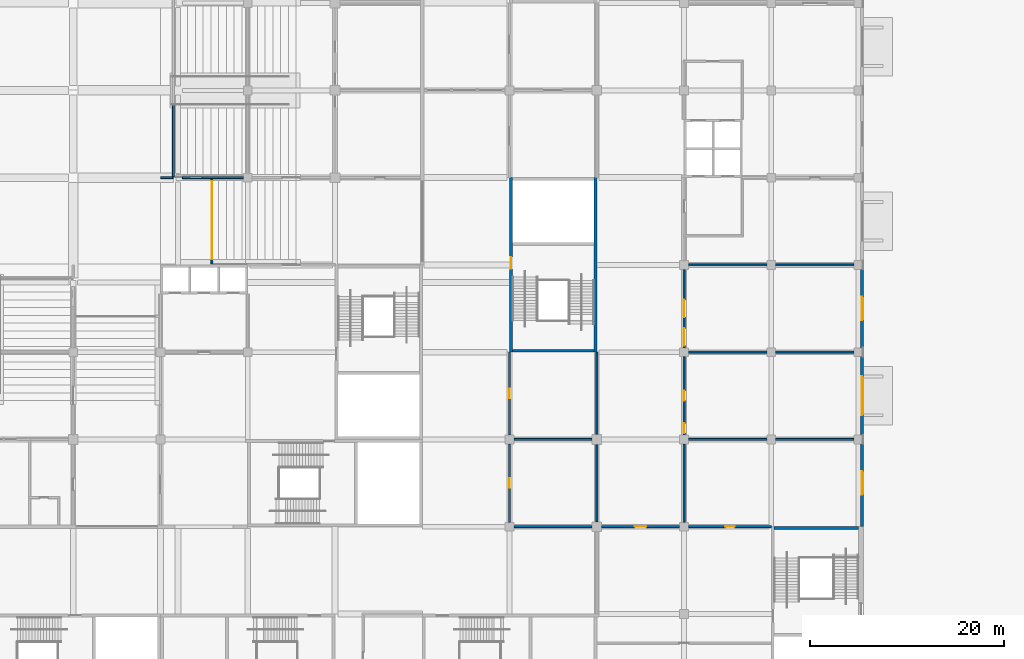
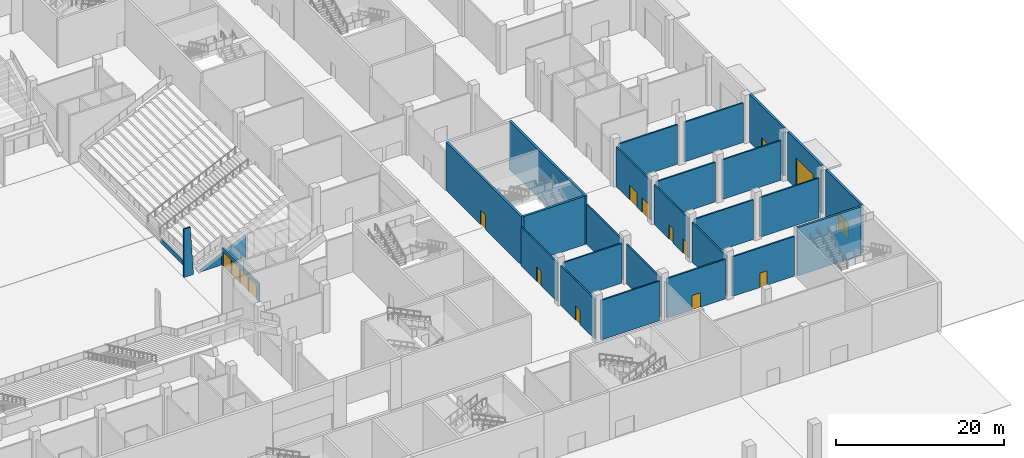
# One storey, part 34 of 92: 28 walls, 16 doors, 16 openings.
"""IFC4 building model written with IfcOpenShell, lengths in metres."""

from ifc_helpers import new_model, si_unit, direction, frame, frame_2d, origin, place, context, subcontext, project, spatial, polyline, rectangle, outline, extrude, material, layer, layer_set, type_object, element, fill, save


model = new_model("IFC4")

# Units and contexts
model_context = context("Model", 3, precision=1e-05, world=origin(), true_north=direction((0.0, 1.0)))
body_context = subcontext(model_context, "Body", "Model", "MODEL_VIEW")
ifc_project = project(units=[si_unit("LENGTHUNIT", "METRE"), si_unit("AREAUNIT", "SQUARE_METRE"), si_unit("VOLUMEUNIT", "CUBIC_METRE"), si_unit("PLANEANGLEUNIT", "RADIAN"), si_unit("MASSUNIT", "GRAM", prefix="KILO")], contexts=[model_context])

# Site, building, storey
site_placement = place(None, origin())
site = spatial("IfcSite", under=ifc_project, at=site_placement, CompositionType="ELEMENT")
building_placement = place(site_placement, origin())
building = spatial("IfcBuilding", under=site, at=building_placement, Name="Silverbay Arena", CompositionType="ELEMENT")
storey_placement = place(building_placement, origin())
storey = spatial("IfcBuildingStorey", under=building, at=storey_placement, Name="L00", CompositionType="ELEMENT", Elevation=0.0)

# Wall, opening, door
ifc_material_1 = material(Name="Concrete Grade C45 precast, board-marked finish", Category="concrete")
ifc_layer_1 = layer(ifc_material_1, 0.300048828125)
ifc_layer_set_1 = layer_set([ifc_layer_1], Name="Concrete Grade C45 precast, board-marked finish")
wall_type_1 = type_object("IfcWallType", Name="Board-marked precast wall 300", PredefinedType="SOLIDWALL", material=ifc_layer_set_1)
wall_1_placement = place(storey_placement, frame((234.35009765625, 36.0, 0.0), z_axis=(0.0, 0.0, 1.0), x_axis=(0.0, 1.0, 0.0)))
wall_1 = element("IfcWall", 1, at=wall_1_placement, inside=storey, type_object=wall_type_1, Name="East external wall L00 bay 3", PredefinedType="SOLIDWALL", context=body_context, shape_type="SweptSolid", body=[
    extrude(rectangle(XDim=8.550048828125, YDim=0.300048828125, at=frame_2d((4.27490234375, 0.0))), origin(), (0.0, 0.0, 1.0), 7.0),
])
opening_1_placement = place(wall_1_placement, frame((3.300048828125, 0.0, 0.0)))
opening_1 = element("IfcOpeningElement", 2, at=opening_1_placement, cuts=wall_1, Name="Opening L00-119", PredefinedType="OPENING", context=body_context, shape_type="SweptSolid", body=[
    extrude(rectangle(XDim=2.39990234375, YDim=2.39990234375, at=frame_2d((1.199951171875, 1.199951171875))), frame((0.0, 0.16015625, 0.0), z_axis=(0.0, -1.0, 0.0), x_axis=(1.0, 0.0, 0.0)), (0.0, 0.0, 1.0), 0.320068359375),
])
ifc_material_2 = material(Name="Steel", Category="steel")
door_type_1 = type_object("IfcDoorType", Name="Exit gate door 2400 x 2400", OperationType="DOUBLE_DOOR_SINGLE_SWING", PredefinedType="DOOR", material=ifc_material_2)
door_1_placement = place(opening_1_placement, frame((2.39990234375, 0.0, 0.0), z_axis=(0.0, 0.0, 1.0), x_axis=(-1.0, 0.0, 0.0)))
door_1 = element("IfcDoor", 3, at=door_1_placement, inside=storey, type_object=door_type_1, Name="Pedestrian exit gate G37", OperationType="DOUBLE_DOOR_SINGLE_SWING", OverallHeight=2.39990234375, OverallWidth=2.39990234375, PredefinedType="DOOR", context=body_context, shape_type="SweptSolid", body=[
    extrude(rectangle(XDim=2.39990234375, YDim=2.39990234375, at=frame_2d((1.199951171875, 1.199951171875))), frame((0.0, 0.02490234375, 0.0), z_axis=(0.0, -1.0, 0.0), x_axis=(1.0, 0.0, 0.0)), (0.0, 0.0, 1.0), 0.050048828125),
])
fill(opening_1, door_1)

wall_2_placement = place(storey_placement, frame((234.35009765625, 45.449951171875, 0.0), z_axis=(0.0, 0.0, 1.0), x_axis=(0.0, 1.0, 0.0)))
wall_2 = element("IfcWall", 4, at=wall_2_placement, inside=storey, type_object=wall_type_1, Name="East external wall L00 bay 4", PredefinedType="SOLIDWALL", context=body_context, shape_type="SweptSolid", body=[
    extrude(rectangle(XDim=8.10009765625, YDim=0.300048828125, at=frame_2d((4.050048828125, 0.0))), origin(), (0.0, 0.0, 1.0), 7.0),
])
opening_2_placement = place(wall_2_placement, frame((2.050048828125, 0.0, 0.0)))
opening_2 = element("IfcOpeningElement", 5, at=opening_2_placement, cuts=wall_2, Name="Opening L00-120", PredefinedType="OPENING", context=body_context, shape_type="SweptSolid", body=[
    extrude(rectangle(XDim=4.0, YDim=4.5, at=frame_2d((2.0, 2.25))), frame((0.0, 0.16015625, 0.0), z_axis=(0.0, -1.0, 0.0), x_axis=(1.0, 0.0, 0.0)), (0.0, 0.0, 1.0), 0.320068359375),
])
ifc_material_3 = material(Name="Steel", Category="steel")
door_type_2 = type_object("IfcDoorType", Name="Loading shutter 4000 x 4500", OperationType="ROLLINGUP", PredefinedType="DOOR", material=ifc_material_3)
door_2_placement = place(opening_2_placement, origin())
door_2 = element("IfcDoor", 6, at=door_2_placement, inside=storey, type_object=door_type_2, Name="Loading dock shutter 1", OperationType="ROLLINGUP", OverallHeight=4.5, OverallWidth=4.0, PredefinedType="DOOR", context=body_context, shape_type="SweptSolid", body=[
    extrude(rectangle(XDim=4.0, YDim=4.5, at=frame_2d((2.0, 2.25))), frame((0.0, 0.02490234375, 0.0), z_axis=(0.0, -1.0, 0.0), x_axis=(1.0, 0.0, 0.0)), (0.0, 0.0, 1.0), 0.050048828125),
])
fill(opening_2, door_2)

wall_3_placement = place(storey_placement, frame((234.35009765625, 54.449951171875, 0.0), z_axis=(0.0, 0.0, 1.0), x_axis=(0.0, 1.0, 0.0)))
wall_3 = element("IfcWall", 7, at=wall_3_placement, inside=storey, type_object=wall_type_1, Name="East external wall L00 bay 5", PredefinedType="SOLIDWALL", context=body_context, shape_type="SweptSolid", body=[
    extrude(rectangle(XDim=8.10009765625, YDim=0.300048828125, at=frame_2d((4.050048828125, 0.0))), origin(), (0.0, 0.0, 1.0), 7.0),
])
opening_3_placement = place(wall_3_placement, frame((2.85009765625, 0.0, 0.0)))
opening_3 = element("IfcOpeningElement", 8, at=opening_3_placement, cuts=wall_3, Name="Opening L00-121", PredefinedType="OPENING", context=body_context, shape_type="SweptSolid", body=[
    extrude(rectangle(XDim=2.39990234375, YDim=2.39990234375, at=frame_2d((1.199951171875, 1.199951171875))), frame((0.0, 0.16015625, 0.0), z_axis=(0.0, -1.0, 0.0), x_axis=(1.0, 0.0, 0.0)), (0.0, 0.0, 1.0), 0.320068359375),
])
door_3_placement = place(opening_3_placement, frame((2.39990234375, 0.0, 0.0), z_axis=(0.0, 0.0, 1.0), x_axis=(-1.0, 0.0, 0.0)))
door_3 = element("IfcDoor", 9, at=door_3_placement, inside=storey, type_object=door_type_1, Name="Pedestrian exit gate G38", OperationType="DOUBLE_DOOR_SINGLE_SWING", OverallHeight=2.39990234375, OverallWidth=2.39990234375, PredefinedType="DOOR", context=body_context, shape_type="SweptSolid", body=[
    extrude(rectangle(XDim=2.39990234375, YDim=2.39990234375, at=frame_2d((1.199951171875, 1.199951171875))), frame((0.0, 0.02490234375, 0.0), z_axis=(0.0, -1.0, 0.0), x_axis=(1.0, 0.0, 0.0)), (0.0, 0.0, 1.0), 0.050048828125),
])
fill(opening_3, door_3)

ifc_material_4 = material(Name="Concrete Grade C45", Category="concrete")
ifc_layer_2 = layer(ifc_material_4, 0.300048828125)
ifc_layer_set_2 = layer_set([ifc_layer_2], Name="Concrete Grade C45")
wall_type_2 = type_object("IfcWallType", Name="Core wall RC 300 EI 120", PredefinedType="SHEAR", material=ifc_layer_set_2)
wall_4_placement = place(storey_placement, frame((198.14990234375, 54.0, 0.0), z_axis=(0.0, 0.0, 1.0), x_axis=(0.0, 1.0, 0.0)))
wall_4 = element("IfcWall", 10, at=wall_4_placement, inside=storey, type_object=wall_type_2, Name="Core wall ST-E1 L00 door side", PredefinedType="SHEAR", context=body_context, shape_type="SweptSolid", body=[
    extrude(rectangle(XDim=18.0, YDim=0.300048828125, at=frame_2d((9.0, 0.0))), origin(), (0.0, 0.0, 1.0), 7.0),
])
opening_4_placement = place(wall_4_placement, frame((8.60009765625, 0.0, 0.0)))
opening_4 = element("IfcOpeningElement", 11, at=opening_4_placement, cuts=wall_4, Name="Opening L00-184", PredefinedType="OPENING", context=body_context, shape_type="SweptSolid", body=[
    extrude(rectangle(XDim=1.199951171875, YDim=2.10009765625, at=frame_2d((0.60009765625, 1.050048828125))), frame((0.0, 0.16015625, 0.0), z_axis=(0.0, -1.0, 0.0), x_axis=(1.0, 0.0, 0.0)), (0.0, 0.0, 1.0), 0.320068359375),
])
ifc_material_5 = material(Name="Steel fire door", Category="steel")
door_type_3 = type_object("IfcDoorType", Name="Stair door 1200 x 2100 fire door", OperationType="SINGLE_SWING_LEFT", PredefinedType="DOOR", material=ifc_material_5)
door_4_placement = place(opening_4_placement, frame((1.199951171875, 0.0, 0.0), z_axis=(0.0, 0.0, 1.0), x_axis=(-1.0, 0.0, 0.0)))
door_4 = element("IfcDoor", 12, at=door_4_placement, inside=storey, type_object=door_type_3, Name="Stair door ST-E1 L00", OperationType="SINGLE_SWING_LEFT", OverallHeight=2.10009765625, OverallWidth=1.199951171875, PredefinedType="DOOR", context=body_context, shape_type="SweptSolid", body=[
    extrude(rectangle(XDim=1.199951171875, YDim=2.10009765625, at=frame_2d((0.60009765625, 1.050048828125))), frame((0.0, 0.02490234375, 0.0), z_axis=(0.0, -1.0, 0.0), x_axis=(1.0, 0.0, 0.0)), (0.0, 0.0, 1.0), 0.050048828125),
])
fill(opening_4, door_4)

# Walls
wall_5_placement = place(storey_placement, frame((206.85009765625, 54.0, 0.0), z_axis=(0.0, 0.0, 1.0), x_axis=(0.0, 1.0, 0.0)))
element("IfcWall", 13, at=wall_5_placement, inside=storey, type_object=wall_type_2, Name="Core wall ST-E1 L00 far side", PredefinedType="SHEAR", context=body_context, shape_type="SweptSolid", body=[
    extrude(rectangle(XDim=18.0, YDim=0.300048828125, at=frame_2d((9.0, 0.0))), origin(), (0.0, 0.0, 1.0), 7.0),
])
wall_6_placement = place(storey_placement, frame((198.300048828125, 54.14990234375, 0.0), z_axis=(0.0, 0.0, 1.0), x_axis=(1.0, 0.0, 0.0)))
element("IfcWall", 14, at=wall_6_placement, inside=storey, type_object=wall_type_2, Name="Core wall ST-E1 L00 end 1", PredefinedType="SHEAR", context=body_context, shape_type="SweptSolid", body=[
    extrude(rectangle(XDim=8.39990234375, YDim=0.300048828125, at=frame_2d((4.199951171875, 0.0))), origin(), (0.0, 0.0, 1.0), 7.0),
])
wall_7_placement = place(storey_placement, frame((225.300048828125, 35.85009765625, 0.0), z_axis=(0.0, 0.0, 1.0), x_axis=(1.0, 0.0, 0.0)))
element("IfcWall", 15, at=wall_7_placement, inside=storey, type_object=wall_type_2, Name="Core wall ST-EG1 L00 end 1", PredefinedType="SHEAR", context=body_context, shape_type="SweptSolid", body=[
    extrude(rectangle(XDim=8.699951171875, YDim=0.300048828125, at=frame_2d((4.35009765625, 0.0))), origin(), (0.0, 0.0, 1.0), 7.0),
])
ifc_material_6 = material(Name="Masonry blockwork partition", Category="masonry")
ifc_layer_3 = layer(ifc_material_6, 0.199951171875)
ifc_layer_set_3 = layer_set([ifc_layer_3], Name="Masonry blockwork partition")
wall_type_3 = type_object("IfcWallType", Name="Partition 200 EI 120", PredefinedType="PARTITIONING", material=ifc_layer_set_3)
wall_8_placement = place(storey_placement, frame((198.449951171875, 36.0, 0.0), z_axis=(0.0, 0.0, 1.0), x_axis=(1.0, 0.0, 0.0)))
element("IfcWall", 16, at=wall_8_placement, inside=storey, type_object=wall_type_3, Name="Partition wall", PredefinedType="PARTITIONING", context=body_context, shape_type="SweptSolid", body=[
    extrude(rectangle(XDim=8.050048828125, YDim=0.199951171875, at=frame_2d((4.02490234375, 0.0))), origin(), (0.0, 0.0, 1.0), 5.75),
])

# Wall, opening, door
wall_9_placement = place(storey_placement, frame((207.5, 36.0, 0.0), z_axis=(0.0, 0.0, 1.0), x_axis=(1.0, 0.0, 0.0)))
wall_9 = element("IfcWall", 17, at=wall_9_placement, inside=storey, type_object=wall_type_3, Name="Partition wall", PredefinedType="PARTITIONING", context=body_context, shape_type="SweptSolid", body=[
    extrude(rectangle(XDim=8.050048828125, YDim=0.199951171875, at=frame_2d((4.02490234375, 0.0))), origin(), (0.0, 0.0, 1.0), 5.75),
])
opening_5_placement = place(wall_9_placement, frame((3.425048828125, 0.0, 0.0)))
opening_5 = element("IfcOpeningElement", 18, at=opening_5_placement, cuts=wall_9, Name="Opening L00-068", PredefinedType="OPENING", context=body_context, shape_type="SweptSolid", body=[
    extrude(rectangle(XDim=1.199951171875, YDim=2.10009765625, at=frame_2d((0.60009765625, 1.050048828125))), frame((0.0, 0.10986328125, 0.0), z_axis=(0.0, -1.0, 0.0), x_axis=(1.0, 0.0, 0.0)), (0.0, 0.0, 1.0), 0.219970703125),
])
ifc_material_7 = material(Name="Steel faced timber", Category="steel")
door_type_4 = type_object("IfcDoorType", Name="Single leaf door 1200 x 2100 FD120", OperationType="SINGLE_SWING_LEFT", PredefinedType="DOOR", material=ifc_material_7)
door_5_placement = place(opening_5_placement, origin())
door_5 = element("IfcDoor", 19, at=door_5_placement, inside=storey, type_object=door_type_4, Name="Door L00-068", OperationType="SINGLE_SWING_RIGHT", OverallHeight=2.10009765625, OverallWidth=1.199951171875, PredefinedType="DOOR", context=body_context, shape_type="SweptSolid", body=[
    extrude(rectangle(XDim=1.199951171875, YDim=2.10009765625, at=frame_2d((0.60009765625, 1.050048828125))), frame((0.0, 0.02490234375, 0.0), z_axis=(0.0, -1.0, 0.0), x_axis=(1.0, 0.0, 0.0)), (0.0, 0.0, 1.0), 0.050048828125),
])
fill(opening_5, door_5)

wall_10_placement = place(storey_placement, frame((216.449951171875, 36.0, 0.0), z_axis=(0.0, 0.0, 1.0), x_axis=(1.0, 0.0, 0.0)))
wall_10 = element("IfcWall", 20, at=wall_10_placement, inside=storey, type_object=wall_type_3, Name="Partition wall", PredefinedType="PARTITIONING", context=body_context, shape_type="SweptSolid", body=[
    extrude(rectangle(XDim=8.550048828125, YDim=0.199951171875, at=frame_2d((4.27490234375, 0.0))), origin(), (0.0, 0.0, 1.0), 5.75),
])
opening_6_placement = place(wall_10_placement, frame((3.77490234375, 0.0, 0.0)))
opening_6 = element("IfcOpeningElement", 21, at=opening_6_placement, cuts=wall_10, Name="Opening L00-056", PredefinedType="OPENING", context=body_context, shape_type="SweptSolid", body=[
    extrude(rectangle(XDim=1.0, YDim=2.10009765625, at=frame_2d((0.5, 1.050048828125))), frame((0.0, 0.10986328125, 0.0), z_axis=(0.0, -1.0, 0.0), x_axis=(1.0, 0.0, 0.0)), (0.0, 0.0, 1.0), 0.219970703125),
])
ifc_material_8 = material(Name="Steel faced timber", Category="steel")
door_type_5 = type_object("IfcDoorType", Name="Single leaf door 1000 x 2100 FD120", OperationType="SINGLE_SWING_LEFT", PredefinedType="DOOR", material=ifc_material_8)
door_6_placement = place(opening_6_placement, origin())
door_6 = element("IfcDoor", 22, at=door_6_placement, inside=storey, type_object=door_type_5, Name="Door L00-056", OperationType="SINGLE_SWING_RIGHT", OverallHeight=2.10009765625, OverallWidth=1.0, PredefinedType="DOOR", context=body_context, shape_type="SweptSolid", body=[
    extrude(rectangle(XDim=1.0, YDim=2.10009765625, at=frame_2d((0.5, 1.050048828125))), frame((0.0, 0.02490234375, 0.0), z_axis=(0.0, -1.0, 0.0), x_axis=(1.0, 0.0, 0.0)), (0.0, 0.0, 1.0), 0.050048828125),
])
fill(opening_6, door_6)

# Walls
for number, where, z_axis, x_axis, name in (
    (23, (225.449951171875, 45.0, 0.0), (0.0, 0.0, 1.0), (1.0, 0.0, 0.0), "Partition wall"),
    (24, (216.449951171875, 45.0, 0.0), (0.0, 0.0, 1.0), (1.0, 0.0, 0.0), "Partition wall"),
    (25, (225.449951171875, 54.0, 0.0), (0.0, 0.0, 1.0), (1.0, 0.0, 0.0), "Partition wall"),
    (26, (216.449951171875, 54.0, 0.0), (0.0, 0.0, 1.0), (1.0, 0.0, 0.0), "Partition wall"),
    (27, (225.449951171875, 63.0, 0.0), (0.0, 0.0, 1.0), (1.0, 0.0, 0.0), "Partition wall"),
    (28, (216.449951171875, 63.0, 0.0), (0.0, 0.0, 1.0), (1.0, 0.0, 0.0), "Partition wall"),
):
    element("IfcWall", number, at=place(storey_placement, frame(where, z_axis=z_axis, x_axis=x_axis)), inside=storey, type_object=wall_type_3, Name=name, PredefinedType="PARTITIONING", context=body_context, shape_type="SweptSolid", body=[
        extrude(rectangle(XDim=8.10009765625, YDim=0.199951171875, at=frame_2d((4.050048828125, 0.0))), origin(), (0.0, 0.0, 1.0), 5.75),
    ])
wall_11_placement = place(storey_placement, frame((164.25, 72.0, 0.0), z_axis=(0.0, 0.0, 1.0), x_axis=(1.0, 0.0, 0.0)))
element("IfcWall", 29, at=wall_11_placement, inside=storey, type_object=wall_type_3, Name="Partition wall", PredefinedType="PARTITIONING", context=body_context, shape_type="SweptSolid", body=[
    extrude(outline(polyline([(0.0, 0.0), (6.300048828125, 0.0), (6.300048828125, 3.231201171875), (4.361572265625, 2.310546875), (0.0, 0.23876953125), (0.0, 0.0)])), frame((0.0, 0.10009765625, 0.0), z_axis=(0.0, -1.0, 0.0), x_axis=(1.0, 0.0, 0.0)), (0.0, 0.0, 1.0), 0.199951171875),
])
wall_12_placement = place(storey_placement, frame((162.010009765625, 72.0, 0.0), z_axis=(0.0, 0.0, 1.0), x_axis=(1.0, 0.0, 0.0)))
element("IfcWall", 30, at=wall_12_placement, inside=storey, type_object=wall_type_3, Name="Partition wall", PredefinedType="PARTITIONING", context=body_context, shape_type="SweptSolid", body=[
    extrude(outline(polyline([(0.0, 0.0), (1.340087890625, 0.0), (1.340087890625, -0.188720703125), (0.893310546875, 7.0), (0.0, 7.0), (0.0, 0.0)])), frame((0.0, 0.10009765625, 0.0), z_axis=(0.0, -1.0, 0.0), x_axis=(1.0, 0.0, 0.0)), (0.0, 0.0, 1.0), 0.199951171875),
])

# Wall, opening, door
wall_13_placement = place(storey_placement, frame((198.0, 36.449951171875, 0.0), z_axis=(0.0, 0.0, 1.0), x_axis=(0.0, 1.0, 0.0)))
wall_13 = element("IfcWall", 31, at=wall_13_placement, inside=storey, type_object=wall_type_3, Name="Partition wall", PredefinedType="PARTITIONING", context=body_context, shape_type="SweptSolid", body=[
    extrude(rectangle(XDim=8.10009765625, YDim=0.199951171875, at=frame_2d((4.050048828125, 0.0))), origin(), (0.0, 0.0, 1.0), 5.75),
])
opening_7_placement = place(wall_13_placement, frame((3.550048828125, 0.0, 0.0)))
opening_7 = element("IfcOpeningElement", 32, at=opening_7_placement, cuts=wall_13, Name="Opening L00-013", PredefinedType="OPENING", context=body_context, shape_type="SweptSolid", body=[
    extrude(rectangle(XDim=1.0, YDim=2.10009765625, at=frame_2d((0.5, 1.050048828125))), frame((0.0, 0.10986328125, 0.0), z_axis=(0.0, -1.0, 0.0), x_axis=(1.0, 0.0, 0.0)), (0.0, 0.0, 1.0), 0.219970703125),
])
door_7_placement = place(opening_7_placement, frame((1.0, 0.0, 0.0), z_axis=(0.0, 0.0, 1.0), x_axis=(-1.0, 0.0, 0.0)))
door_7 = element("IfcDoor", 33, at=door_7_placement, inside=storey, type_object=door_type_5, Name="Door L00-013", OperationType="SINGLE_SWING_RIGHT", OverallHeight=2.10009765625, OverallWidth=1.0, PredefinedType="DOOR", context=body_context, shape_type="SweptSolid", body=[
    extrude(rectangle(XDim=1.0, YDim=2.10009765625, at=frame_2d((0.5, 1.050048828125))), frame((0.0, 0.02490234375, 0.0), z_axis=(0.0, -1.0, 0.0), x_axis=(1.0, 0.0, 0.0)), (0.0, 0.0, 1.0), 0.050048828125),
])
fill(opening_7, door_7)

wall_14_placement = place(storey_placement, frame((198.0, 45.449951171875, 0.0), z_axis=(0.0, 0.0, 1.0), x_axis=(0.0, 1.0, 0.0)))
wall_14 = element("IfcWall", 34, at=wall_14_placement, inside=storey, type_object=wall_type_3, Name="Partition wall", PredefinedType="PARTITIONING", context=body_context, shape_type="SweptSolid", body=[
    extrude(rectangle(XDim=8.550048828125, YDim=0.199951171875, at=frame_2d((4.27490234375, 0.0))), origin(), (0.0, 0.0, 1.0), 5.64990234375),
])
opening_8_placement = place(wall_14_placement, frame((3.77490234375, 0.0, 0.0)))
opening_8 = element("IfcOpeningElement", 35, at=opening_8_placement, cuts=wall_14, Name="Opening L00-014", PredefinedType="OPENING", context=body_context, shape_type="SweptSolid", body=[
    extrude(rectangle(XDim=1.0, YDim=2.10009765625, at=frame_2d((0.5, 1.050048828125))), frame((0.0, 0.10986328125, 0.0), z_axis=(0.0, -1.0, 0.0), x_axis=(1.0, 0.0, 0.0)), (0.0, 0.0, 1.0), 0.219970703125),
])
ifc_material_9 = material(Name="Steel faced timber", Category="steel")
door_type_6 = type_object("IfcDoorType", Name="Single leaf door 1000 x 2100 FD60", OperationType="SINGLE_SWING_LEFT", PredefinedType="DOOR", material=ifc_material_9)
door_8_placement = place(opening_8_placement, frame((1.0, 0.0, 0.0), z_axis=(0.0, 0.0, 1.0), x_axis=(-1.0, 0.0, 0.0)))
door_8 = element("IfcDoor", 36, at=door_8_placement, inside=storey, type_object=door_type_6, Name="Door L00-014", OperationType="SINGLE_SWING_LEFT", OverallHeight=2.10009765625, OverallWidth=1.0, PredefinedType="DOOR", context=body_context, shape_type="SweptSolid", body=[
    extrude(rectangle(XDim=1.0, YDim=2.10009765625, at=frame_2d((0.5, 1.050048828125))), frame((0.0, 0.02490234375, 0.0), z_axis=(0.0, -1.0, 0.0), x_axis=(1.0, 0.0, 0.0)), (0.0, 0.0, 1.0), 0.050048828125),
])
fill(opening_8, door_8)

# Walls
wall_15_placement = place(storey_placement, frame((207.0, 36.5, 0.0), z_axis=(0.0, 0.0, 1.0), x_axis=(0.0, 1.0, 0.0)))
element("IfcWall", 37, at=wall_15_placement, inside=storey, type_object=wall_type_3, Name="Partition wall", PredefinedType="PARTITIONING", context=body_context, shape_type="SweptSolid", body=[
    extrude(rectangle(XDim=8.0, YDim=0.199951171875, at=frame_2d((4.0, 0.0))), origin(), (0.0, 0.0, 1.0), 5.75),
])
wall_16_placement = place(storey_placement, frame((207.0, 45.5, 0.0), z_axis=(0.0, 0.0, 1.0), x_axis=(0.0, 1.0, 0.0)))
element("IfcWall", 38, at=wall_16_placement, inside=storey, type_object=wall_type_3, Name="Partition wall", PredefinedType="PARTITIONING", context=body_context, shape_type="SweptSolid", body=[
    extrude(rectangle(XDim=8.5, YDim=0.199951171875, at=frame_2d((4.25, 0.0))), origin(), (0.0, 0.0, 1.0), 5.75),
])
wall_17_placement = place(storey_placement, frame((216.0, 36.449951171875, 0.0), z_axis=(0.0, 0.0, 1.0), x_axis=(0.0, 1.0, 0.0)))
element("IfcWall", 39, at=wall_17_placement, inside=storey, type_object=wall_type_3, Name="Partition wall", PredefinedType="PARTITIONING", context=body_context, shape_type="SweptSolid", body=[
    extrude(rectangle(XDim=8.10009765625, YDim=0.199951171875, at=frame_2d((4.050048828125, 0.0))), origin(), (0.0, 0.0, 1.0), 5.75),
])

# Wall, openings, doors
wall_18_placement = place(storey_placement, frame((216.0, 54.449951171875, 0.0), z_axis=(0.0, 0.0, 1.0), x_axis=(0.0, 1.0, 0.0)))
wall_18 = element("IfcWall", 40, at=wall_18_placement, inside=storey, type_object=wall_type_3, Name="Partition wall", PredefinedType="PARTITIONING", context=body_context, shape_type="SweptSolid", body=[
    extrude(rectangle(XDim=8.10009765625, YDim=0.199951171875, at=frame_2d((4.050048828125, 0.0))), origin(), (0.0, 0.0, 1.0), 5.75),
])
opening_9_placement = place(wall_18_placement, frame((3.14990234375, 0.0, 0.0)))
opening_9 = element("IfcOpeningElement", 41, at=opening_9_placement, cuts=wall_18, Name="Opening L00-058", PredefinedType="OPENING", context=body_context, shape_type="SweptSolid", body=[
    extrude(rectangle(XDim=1.800048828125, YDim=2.10009765625, at=frame_2d((0.89990234375, 1.050048828125))), frame((0.0, 0.10986328125, 0.0), z_axis=(0.0, -1.0, 0.0), x_axis=(1.0, 0.0, 0.0)), (0.0, 0.0, 1.0), 0.219970703125),
])
opening_10_placement = place(wall_18_placement, frame((0.199951171875, 0.0, 0.0)))
opening_10 = element("IfcOpeningElement", 42, at=opening_10_placement, cuts=wall_18, Name="Opening L00-109", PredefinedType="OPENING", context=body_context, shape_type="SweptSolid", body=[
    extrude(rectangle(XDim=1.800048828125, YDim=2.10009765625, at=frame_2d((0.89990234375, 1.050048828125))), frame((0.0, 0.10986328125, 0.0), z_axis=(0.0, -1.0, 0.0), x_axis=(1.0, 0.0, 0.0)), (0.0, 0.0, 1.0), 0.219970703125),
])
ifc_material_10 = material(Name="Steel faced timber", Category="steel")
door_type_7 = type_object("IfcDoorType", Name="Double leaf door 1800 x 2100 FD120", OperationType="DOUBLE_DOOR_DOUBLE_SWING", PredefinedType="DOOR", material=ifc_material_10)
door_9_placement = place(opening_9_placement, frame((1.800048828125, 0.0, 0.0), z_axis=(0.0, 0.0, 1.0), x_axis=(-1.0, 0.0, 0.0)))
door_9 = element("IfcDoor", 43, at=door_9_placement, inside=storey, type_object=door_type_7, Name="Door L00-058", OperationType="DOUBLE_DOOR_DOUBLE_SWING", OverallHeight=2.10009765625, OverallWidth=1.800048828125, PredefinedType="DOOR", context=body_context, shape_type="SweptSolid", body=[
    extrude(rectangle(XDim=1.800048828125, YDim=2.10009765625, at=frame_2d((0.89990234375, 1.050048828125))), frame((0.0, 0.02490234375, 0.0), z_axis=(0.0, -1.0, 0.0), x_axis=(1.0, 0.0, 0.0)), (0.0, 0.0, 1.0), 0.050048828125),
])
fill(opening_9, door_9)
door_10_placement = place(opening_10_placement, frame((1.800048828125, 0.0, 0.0), z_axis=(0.0, 0.0, 1.0), x_axis=(-1.0, 0.0, 0.0)))
door_10 = element("IfcDoor", 44, at=door_10_placement, inside=storey, type_object=door_type_7, Name="Door L00-109", OperationType="DOUBLE_DOOR_DOUBLE_SWING", OverallHeight=2.10009765625, OverallWidth=1.800048828125, PredefinedType="DOOR", context=body_context, shape_type="SweptSolid", body=[
    extrude(rectangle(XDim=1.800048828125, YDim=2.10009765625, at=frame_2d((0.89990234375, 1.050048828125))), frame((0.0, 0.02490234375, 0.0), z_axis=(0.0, -1.0, 0.0), x_axis=(1.0, 0.0, 0.0)), (0.0, 0.0, 1.0), 0.050048828125),
])
fill(opening_10, door_10)

# Wall
ifc_material_11 = material(Name="Gypsum board partition on steel studs", Category="steel")
ifc_layer_4 = layer(ifc_material_11, 0.199951171875)
ifc_layer_set_4 = layer_set([ifc_layer_4], Name="Gypsum board partition on steel studs")
wall_type_4 = type_object("IfcWallType", Name="Partition 200 EI 60", PredefinedType="PARTITIONING", material=ifc_layer_set_4)
wall_19_placement = place(storey_placement, frame((198.449951171875, 45.0, 0.0), z_axis=(0.0, 0.0, 1.0), x_axis=(1.0, 0.0, 0.0)))
element("IfcWall", 45, at=wall_19_placement, inside=storey, type_object=wall_type_4, Name="Partition wall", PredefinedType="PARTITIONING", context=body_context, shape_type="SweptSolid", body=[
    extrude(rectangle(XDim=8.050048828125, YDim=0.199951171875, at=frame_2d((4.02490234375, 0.0))), origin(), (0.0, 0.0, 1.0), 5.75),
])

# Wall, openings, doors
wall_20_placement = place(storey_placement, frame((216.0, 45.449951171875, 0.0), z_axis=(0.0, 0.0, 1.0), x_axis=(0.0, 1.0, 0.0)))
wall_20 = element("IfcWall", 46, at=wall_20_placement, inside=storey, type_object=wall_type_4, Name="Partition wall", PredefinedType="PARTITIONING", context=body_context, shape_type="SweptSolid", body=[
    extrude(rectangle(XDim=8.10009765625, YDim=0.199951171875, at=frame_2d((4.050048828125, 0.0))), origin(), (0.0, 0.0, 1.0), 5.75),
])
opening_11_placement = place(wall_20_placement, frame((3.550048828125, 0.0, 0.0)))
opening_11 = element("IfcOpeningElement", 47, at=opening_11_placement, cuts=wall_20, Name="Opening L00-057", PredefinedType="OPENING", context=body_context, shape_type="SweptSolid", body=[
    extrude(rectangle(XDim=1.0, YDim=2.10009765625, at=frame_2d((0.5, 1.050048828125))), frame((0.0, 0.10986328125, 0.0), z_axis=(0.0, -1.0, 0.0), x_axis=(1.0, 0.0, 0.0)), (0.0, 0.0, 1.0), 0.219970703125),
])
opening_12_placement = place(wall_20_placement, frame((0.199951171875, 0.0, 0.0)))
opening_12 = element("IfcOpeningElement", 48, at=opening_12_placement, cuts=wall_20, Name="Opening L00-108", PredefinedType="OPENING", context=body_context, shape_type="SweptSolid", body=[
    extrude(rectangle(XDim=1.0, YDim=2.10009765625, at=frame_2d((0.5, 1.050048828125))), frame((0.0, 0.10986328125, 0.0), z_axis=(0.0, -1.0, 0.0), x_axis=(1.0, 0.0, 0.0)), (0.0, 0.0, 1.0), 0.219970703125),
])
door_11_placement = place(opening_12_placement, frame((1.0, 0.0, 0.0), z_axis=(0.0, 0.0, 1.0), x_axis=(-1.0, 0.0, 0.0)))
door_11 = element("IfcDoor", 49, at=door_11_placement, inside=storey, type_object=door_type_5, Name="Door L00-108", OperationType="SINGLE_SWING_RIGHT", OverallHeight=2.10009765625, OverallWidth=1.0, PredefinedType="DOOR", context=body_context, shape_type="SweptSolid", body=[
    extrude(rectangle(XDim=1.0, YDim=2.10009765625, at=frame_2d((0.5, 1.050048828125))), frame((0.0, 0.02490234375, 0.0), z_axis=(0.0, -1.0, 0.0), x_axis=(1.0, 0.0, 0.0)), (0.0, 0.0, 1.0), 0.050048828125),
])
fill(opening_12, door_11)
ifc_material_12 = material(Name="Steel faced timber", Category="steel")
door_type_8 = type_object("IfcDoorType", Name="Single leaf door 1000 x 2100 FD30S", OperationType="SINGLE_SWING_LEFT", PredefinedType="DOOR", material=ifc_material_12)
door_12_placement = place(opening_11_placement, frame((1.0, 0.0, 0.0), z_axis=(0.0, 0.0, 1.0), x_axis=(-1.0, 0.0, 0.0)))
door_12 = element("IfcDoor", 50, at=door_12_placement, inside=storey, type_object=door_type_8, Name="Door L00-057", OperationType="SINGLE_SWING_RIGHT", OverallHeight=2.10009765625, OverallWidth=1.0, PredefinedType="DOOR", context=body_context, shape_type="SweptSolid", body=[
    extrude(rectangle(XDim=1.0, YDim=2.10009765625, at=frame_2d((0.5, 1.050048828125))), frame((0.0, 0.02490234375, 0.0), z_axis=(0.0, -1.0, 0.0), x_axis=(1.0, 0.0, 0.0)), (0.0, 0.0, 1.0), 0.050048828125),
])
fill(opening_11, door_12)

# Wall
ifc_material_13 = material(Name="Concrete Grade C45", Category="concrete")
ifc_layer_5 = layer(ifc_material_13, 0.199951171875)
ifc_layer_set_5 = layer_set([ifc_layer_5], Name="Concrete Grade C45")
wall_type_5 = type_object("IfcWallType", Name="Stand front wall RC 200 EI 120", PredefinedType="SOLIDWALL", material=ifc_layer_set_5)
wall_21_placement = place(storey_placement, frame((163.300048828125, 72.10009765625, 0.0), z_axis=(0.0, 0.0, 1.0), x_axis=(0.0, 1.0, 0.0)))
element("IfcWall", 51, at=wall_21_placement, inside=storey, type_object=wall_type_5, Name="Stand front wall", PredefinedType="SOLIDWALL", context=body_context, shape_type="SweptSolid", body=[
    extrude(rectangle(XDim=7.39990234375, YDim=0.199951171875, at=frame_2d((3.699951171875, 0.0))), origin(), (0.0, 0.0, 1.0), 0.739990234375),
])

# Wall, openings, doors
ifc_material_14 = material(Name="Concrete Grade C45", Category="concrete")
ifc_layer_6 = layer(ifc_material_14, 0.199951171875)
ifc_layer_set_6 = layer_set([ifc_layer_6], Name="Concrete Grade C45")
wall_type_6 = type_object("IfcWallType", Name="Tunnel mouth wall RC 200 EI 120", PredefinedType="SOLIDWALL", material=ifc_layer_set_6)
wall_22_placement = place(storey_placement, frame((167.300048828125, 63.10009765625, 0.0), z_axis=(0.0, 0.0, 1.0), x_axis=(0.0, 1.0, 0.0)))
wall_22 = element("IfcWall", 52, at=wall_22_placement, inside=storey, type_object=wall_type_6, Name="tunnel mouth floor tunnel ES", PredefinedType="SOLIDWALL", context=body_context, shape_type="SweptSolid", body=[
    extrude(rectangle(XDim=8.7998046875, YDim=0.199951171875, at=frame_2d((4.39990234375, 0.0))), origin(), (0.0, 0.0, 1.0), 2.639892578125),
])
opening_13_placement = place(wall_22_placement, frame((0.5, 0.0, 0.0)))
opening_13 = element("IfcOpeningElement", 53, at=opening_13_placement, cuts=wall_22, Name="Opening L00-250", PredefinedType="OPENING", context=body_context, shape_type="SweptSolid", body=[
    extrude(rectangle(XDim=1.89990234375, YDim=2.10009765625, at=frame_2d((0.949951171875, 1.050048828125))), frame((0.0, 0.10986328125, 0.0), z_axis=(0.0, -1.0, 0.0), x_axis=(1.0, 0.0, 0.0)), (0.0, 0.0, 1.0), 0.219970703125),
])
opening_14_placement = place(wall_22_placement, frame((2.550048828125, 0.0, 0.0)))
opening_14 = element("IfcOpeningElement", 54, at=opening_14_placement, cuts=wall_22, Name="Opening L00-251", PredefinedType="OPENING", context=body_context, shape_type="SweptSolid", body=[
    extrude(rectangle(XDim=1.89990234375, YDim=2.10009765625, at=frame_2d((0.949951171875, 1.050048828125))), frame((0.0, 0.10986328125, 0.0), z_axis=(0.0, -1.0, 0.0), x_axis=(1.0, 0.0, 0.0)), (0.0, 0.0, 1.0), 0.219970703125),
])
opening_15_placement = place(wall_22_placement, frame((4.60009765625, 0.0, 0.0)))
opening_15 = element("IfcOpeningElement", 55, at=opening_15_placement, cuts=wall_22, Name="Opening L00-252", PredefinedType="OPENING", context=body_context, shape_type="SweptSolid", body=[
    extrude(rectangle(XDim=1.89990234375, YDim=2.10009765625, at=frame_2d((0.949951171875, 1.050048828125))), frame((0.0, 0.10986328125, 0.0), z_axis=(0.0, -1.0, 0.0), x_axis=(1.0, 0.0, 0.0)), (0.0, 0.0, 1.0), 0.219970703125),
])
opening_16_placement = place(wall_22_placement, frame((6.64990234375, 0.0, 0.0)))
opening_16 = element("IfcOpeningElement", 56, at=opening_16_placement, cuts=wall_22, Name="Opening L00-253", PredefinedType="OPENING", context=body_context, shape_type="SweptSolid", body=[
    extrude(rectangle(XDim=1.89990234375, YDim=2.10009765625, at=frame_2d((0.949951171875, 1.050048828125))), frame((0.0, 0.10986328125, 0.0), z_axis=(0.0, -1.0, 0.0), x_axis=(1.0, 0.0, 0.0)), (0.0, 0.0, 1.0), 0.219970703125),
])
ifc_material_15 = material(Name="Steel", Category="steel")
door_type_9 = type_object("IfcDoorType", Name="Fire door pair 1900 x 2100 FD120S tunnel", OperationType="DOUBLE_DOOR_SINGLE_SWING", PredefinedType="DOOR", material=ifc_material_15)
door_13_placement = place(opening_13_placement, frame((1.89990234375, 0.0, 0.0), z_axis=(0.0, 0.0, 1.0), x_axis=(-1.0, 0.0, 0.0)))
door_13 = element("IfcDoor", 57, at=door_13_placement, inside=storey, type_object=door_type_9, Name="Fire door pair L00 tunnel mouth floor tunnel ES", OperationType="DOUBLE_DOOR_SINGLE_SWING", OverallHeight=2.10009765625, OverallWidth=1.89990234375, PredefinedType="DOOR", context=body_context, shape_type="SweptSolid", body=[
    extrude(rectangle(XDim=1.89990234375, YDim=2.10009765625, at=frame_2d((0.949951171875, 1.050048828125))), frame((0.0, 0.02490234375, 0.0), z_axis=(0.0, -1.0, 0.0), x_axis=(1.0, 0.0, 0.0)), (0.0, 0.0, 1.0), 0.050048828125),
])
fill(opening_13, door_13)
door_14_placement = place(opening_14_placement, frame((1.89990234375, 0.0, 0.0), z_axis=(0.0, 0.0, 1.0), x_axis=(-1.0, 0.0, 0.0)))
door_14 = element("IfcDoor", 58, at=door_14_placement, inside=storey, type_object=door_type_9, Name="Fire door pair L00 tunnel mouth floor tunnel ES", OperationType="DOUBLE_DOOR_SINGLE_SWING", OverallHeight=2.10009765625, OverallWidth=1.89990234375, PredefinedType="DOOR", context=body_context, shape_type="SweptSolid", body=[
    extrude(rectangle(XDim=1.89990234375, YDim=2.10009765625, at=frame_2d((0.949951171875, 1.050048828125))), frame((0.0, 0.02490234375, 0.0), z_axis=(0.0, -1.0, 0.0), x_axis=(1.0, 0.0, 0.0)), (0.0, 0.0, 1.0), 0.050048828125),
])
fill(opening_14, door_14)
door_15_placement = place(opening_15_placement, frame((1.89990234375, 0.0, 0.0), z_axis=(0.0, 0.0, 1.0), x_axis=(-1.0, 0.0, 0.0)))
door_15 = element("IfcDoor", 59, at=door_15_placement, inside=storey, type_object=door_type_9, Name="Fire door pair L00 tunnel mouth floor tunnel ES", OperationType="DOUBLE_DOOR_SINGLE_SWING", OverallHeight=2.10009765625, OverallWidth=1.89990234375, PredefinedType="DOOR", context=body_context, shape_type="SweptSolid", body=[
    extrude(rectangle(XDim=1.89990234375, YDim=2.10009765625, at=frame_2d((0.949951171875, 1.050048828125))), frame((0.0, 0.02490234375, 0.0), z_axis=(0.0, -1.0, 0.0), x_axis=(1.0, 0.0, 0.0)), (0.0, 0.0, 1.0), 0.050048828125),
])
fill(opening_15, door_15)
door_16_placement = place(opening_16_placement, frame((1.89990234375, 0.0, 0.0), z_axis=(0.0, 0.0, 1.0), x_axis=(-1.0, 0.0, 0.0)))
door_16 = element("IfcDoor", 60, at=door_16_placement, inside=storey, type_object=door_type_9, Name="Fire door pair L00 tunnel mouth floor tunnel ES", OperationType="DOUBLE_DOOR_SINGLE_SWING", OverallHeight=2.10009765625, OverallWidth=1.89990234375, PredefinedType="DOOR", context=body_context, shape_type="SweptSolid", body=[
    extrude(rectangle(XDim=1.89990234375, YDim=2.10009765625, at=frame_2d((0.949951171875, 1.050048828125))), frame((0.0, 0.02490234375, 0.0), z_axis=(0.0, -1.0, 0.0), x_axis=(1.0, 0.0, 0.0)), (0.0, 0.0, 1.0), 0.050048828125),
])
fill(opening_16, door_16)

save(model, "model.ifc")
